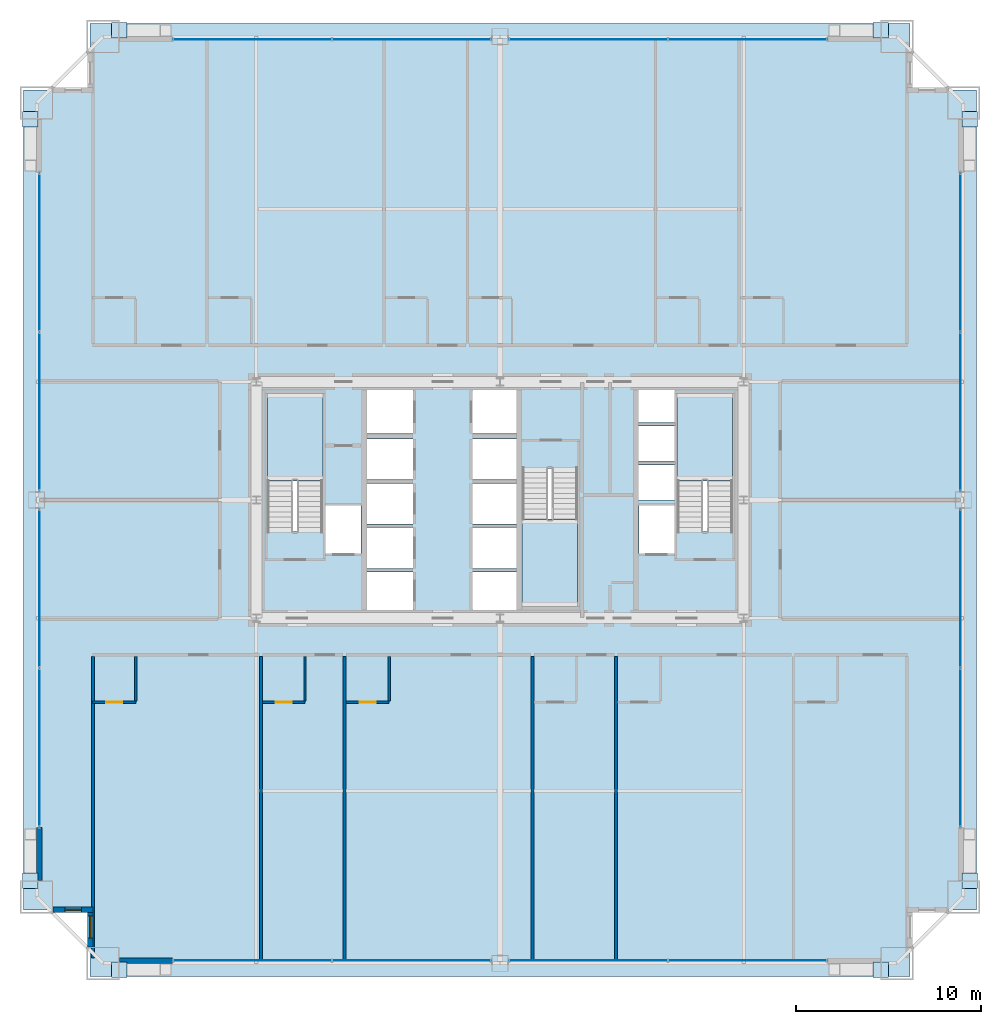
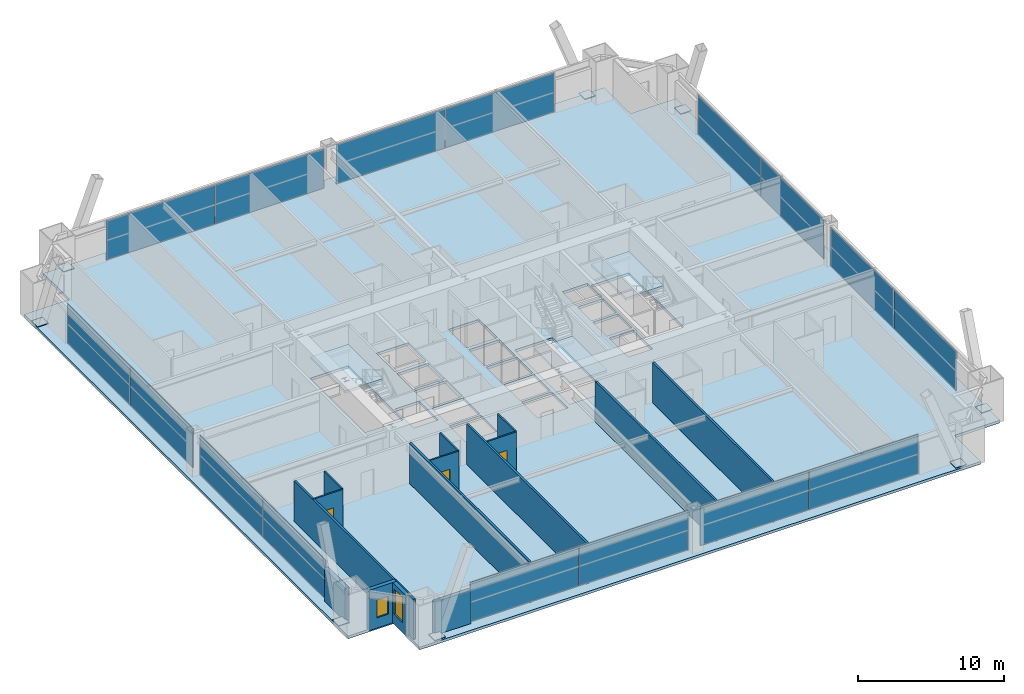
# One storey, part 38 of 43: 24 plates, 15 walls, 4 slabs, 3 doors, 2 windows, 5 openings, 11 elements without a shape of their own.
"""IFC4 building model written with IfcOpenShell, lengths in metres."""

from ifc_helpers import new_model, si_unit, direction, frame, frame_2d, origin, origin_2d, place, context, subcontext, project, spatial, polyline, rectangle, outline, extrude, source, transform, mapped, material, layer, layer_set, type_object, element, fill, aggregate, save


model = new_model("IFC4")

# Units and contexts
model_context = context("Model", 3, precision=1e-05, world=origin(), true_north=direction((0.0, 1.0)))
body_context = subcontext(model_context, "Body", "Model", "MODEL_VIEW")
ifc_project = project(units=[si_unit("LENGTHUNIT", "METRE"), si_unit("AREAUNIT", "SQUARE_METRE"), si_unit("VOLUMEUNIT", "CUBIC_METRE"), si_unit("PLANEANGLEUNIT", "RADIAN"), si_unit("MASSUNIT", "GRAM", prefix="KILO"), si_unit("THERMODYNAMICTEMPERATUREUNIT", "KELVIN"), si_unit("POWERUNIT", "WATT")], contexts=[model_context])

# Site, building, storey
site_placement = place(None, origin())
site = spatial("IfcSite", under=ifc_project, at=site_placement, CompositionType="ELEMENT")
building_placement = place(site_placement, origin())
building = spatial("IfcBuilding", under=site, at=building_placement, Name="Yuzanri Waterfront Tower", CompositionType="ELEMENT")
storey_placement = place(building_placement, frame((0.0, 0.0, 67.60009765625)))
storey = spatial("IfcBuildingStorey", under=building, at=storey_placement, Name="L17", CompositionType="ELEMENT", Elevation=67.60009765625)

# Stair, slab
ifc_material_1 = material(Name="Concrete C40", Category="concrete")
stair_type = type_object("IfcStairType", Name="Concrete C40 Core Dogleg Exit Stair", PredefinedType="HALF_TURN_STAIR", material=ifc_material_1)
stair_1_placement = place(storey_placement, origin())
stair_1 = element("IfcStair", 1, at=stair_1_placement, inside=storey, type_object=stair_type, Name="L17 Smoke-Proof Core Stair ST-01", PredefinedType="HALF_TURN_STAIR")
ifc_material_2 = material(Name="Concrete C40", Category="concrete")
ifc_layer_1 = layer(ifc_material_2, 0.179931640625)
ifc_layer_set_1 = layer_set([ifc_layer_1], Name="Concrete C40")
slab_type_1 = type_object("IfcSlabType", Name="Concrete C40 Stair Half-Landing Slab 180", PredefinedType="LANDING", material=ifc_layer_set_1)
slab_1_placement = place(storey_placement, frame((0.0, 0.0, 1.599853515625)))
slab_1 = element("IfcSlab", 2, at=slab_1_placement, type_object=slab_type_1, Name="ST-01 landing 1", PredefinedType="LANDING", context=body_context, shape_type="SweptSolid", body=[
    extrude(outline(polyline([(27.39990234375, 26.840087890625), (27.39990234375, 31.580078125), (24.39990234375, 31.580078125), (24.39990234375, 26.840087890625), (27.39990234375, 26.840087890625)])), origin(), (0.0, 0.0, 1.0), 0.199951171875),
])
aggregate(stair_1, [slab_1])

stair_2_placement = place(storey_placement, origin())
stair_2 = element("IfcStair", 3, at=stair_2_placement, inside=storey, type_object=stair_type, Name="L17 Smoke-Proof Core Stair ST-02", PredefinedType="HALF_TURN_STAIR")
slab_2_placement = place(storey_placement, frame((0.0, 0.0, 1.599853515625)))
slab_2 = element("IfcSlab", 4, at=slab_2_placement, type_object=slab_type_1, Name="ST-02 landing 1", PredefinedType="LANDING", context=body_context, shape_type="SweptSolid", body=[
    extrude(outline(polyline([(49.60009765625, 26.840087890625), (49.60009765625, 31.580078125), (46.60009765625, 31.580078125), (46.60009765625, 26.840087890625), (49.60009765625, 26.840087890625)])), origin(), (0.0, 0.0, 1.0), 0.199951171875),
])
aggregate(stair_2, [slab_2])

stair_3_placement = place(storey_placement, origin())
stair_3 = element("IfcStair", 5, at=stair_3_placement, inside=storey, type_object=stair_type, Name="L17 Smoke-Proof Core Stair ST-03", PredefinedType="HALF_TURN_STAIR")
slab_3_placement = place(storey_placement, frame((0.0, 0.0, 1.599853515625)))
slab_3 = element("IfcSlab", 6, at=slab_3_placement, type_object=slab_type_1, Name="ST-03 landing 1", PredefinedType="LANDING", context=body_context, shape_type="SweptSolid", body=[
    extrude(outline(polyline([(38.199951171875, 24.760009765625), (38.199951171875, 20.02001953125), (41.199951171875, 20.02001953125), (41.199951171875, 24.760009765625), (38.199951171875, 24.760009765625)])), origin(), (0.0, 0.0, 1.0), 0.199951171875),
])
aggregate(stair_3, [slab_3])

# Slab
ifc_material_3 = material(Name="Concrete C40", Category="concrete")
ifc_layer_2 = layer(ifc_material_3, 0.219970703125)
ifc_layer_set_2 = layer_set([ifc_layer_2], Name="Concrete C40")
slab_type_2 = type_object("IfcSlabType", Name="Concrete C40 Tower Typical Structural Floor Slab 220", PredefinedType="FLOOR", material=ifc_layer_set_2)
slab_4_placement = place(storey_placement, frame((0.0, 0.0, -0.22021484375)))
element("IfcSlab", 7, at=slab_4_placement, inside=storey, type_object=slab_type_2, Name="L17 Main Structural Floor Slab", PredefinedType="FLOOR", context=body_context, shape_type="SweptSolid", body=[
    extrude(outline(polyline([(14.800048828125, 0.0), (59.199951171875, 0.0), (59.199951171875, 3.60009765625), (62.800048828125, 3.60009765625), (62.800048828125, 48.0), (59.199951171875, 48.0), (59.199951171875, 51.60009765625), (14.800048828125, 51.60009765625), (14.800048828125, 48.0), (11.199951171875, 48.0), (11.199951171875, 3.60009765625), (14.800048828125, 3.60009765625), (14.800048828125, 0.0)]), holes=[polyline([(27.39990234375, 24.10009765625), (27.39990234375, 31.580078125), (24.39990234375, 31.580078125), (24.39990234375, 24.10009765625), (27.39990234375, 24.10009765625)]), polyline([(49.60009765625, 24.10009765625), (49.60009765625, 31.580078125), (46.60009765625, 31.580078125), (46.60009765625, 24.10009765625), (49.60009765625, 24.10009765625)]), polyline([(38.199951171875, 27.5), (38.199951171875, 20.02001953125), (41.199951171875, 20.02001953125), (41.199951171875, 27.5), (38.199951171875, 27.5)]), polyline([(27.56005859375, 22.89990234375), (29.47998046875, 22.89990234375), (29.47998046875, 25.5), (27.56005859375, 25.5), (27.56005859375, 22.89990234375)]), polyline([(44.52001953125, 22.89990234375), (46.43994140625, 22.89990234375), (46.43994140625, 25.5), (44.52001953125, 25.5), (44.52001953125, 22.89990234375)]), polyline([(29.800048828125, 19.699951171875), (32.300048828125, 19.699951171875), (32.300048828125, 21.89990234375), (29.800048828125, 21.89990234375), (29.800048828125, 19.699951171875)]), polyline([(29.800048828125, 22.10009765625), (32.300048828125, 22.10009765625), (32.300048828125, 24.300048828125), (29.800048828125, 24.300048828125), (29.800048828125, 22.10009765625)]), polyline([(29.800048828125, 24.5), (32.300048828125, 24.5), (32.300048828125, 26.699951171875), (29.800048828125, 26.699951171875), (29.800048828125, 24.5)]), polyline([(29.800048828125, 26.89990234375), (32.300048828125, 26.89990234375), (32.300048828125, 29.10009765625), (29.800048828125, 29.10009765625), (29.800048828125, 26.89990234375)]), polyline([(29.800048828125, 29.39990234375), (32.300048828125, 29.39990234375), (32.300048828125, 31.89990234375), (29.800048828125, 31.89990234375), (29.800048828125, 29.39990234375)]), polyline([(35.5, 19.699951171875), (37.89990234375, 19.699951171875), (37.89990234375, 21.89990234375), (35.5, 21.89990234375), (35.5, 19.699951171875)]), polyline([(35.5, 22.10009765625), (37.89990234375, 22.10009765625), (37.89990234375, 24.300048828125), (35.5, 24.300048828125), (35.5, 22.10009765625)]), polyline([(35.5, 24.5), (37.89990234375, 24.5), (37.89990234375, 26.699951171875), (35.5, 26.699951171875), (35.5, 24.5)]), polyline([(35.5, 26.89990234375), (37.89990234375, 26.89990234375), (37.89990234375, 29.10009765625), (35.5, 29.10009765625), (35.5, 26.89990234375)]), polyline([(35.5, 29.39990234375), (37.89990234375, 29.39990234375), (37.89990234375, 31.89990234375), (35.5, 31.89990234375), (35.5, 29.39990234375)]), polyline([(44.5, 25.800048828125), (46.5, 25.800048828125), (46.5, 27.699951171875), (44.5, 27.699951171875), (44.5, 25.800048828125)]), polyline([(44.5, 27.89990234375), (46.5, 27.89990234375), (46.5, 29.800048828125), (44.5, 29.800048828125), (44.5, 27.89990234375)]), polyline([(44.5, 30.0), (46.5, 30.0), (46.5, 31.89990234375), (44.5, 31.89990234375), (44.5, 30.0)])]), origin(), (0.0, 0.0, 1.0), 0.22021484375),
])

# Plates
ifc_material_4 = material(Name="Steel Q420GJC", Category="steel")
ifc_layer_3 = layer(ifc_material_4, 0.0400390625)
ifc_layer_set_3 = layer_set([ifc_layer_3], Name="Steel Q420GJC")
plate_type_1 = type_object("IfcPlateType", Name="Steel Q420GJC Mega-Brace Gusset and End-Cap Plate 40", PredefinedType="SHEET", material=ifc_layer_set_3)
shared_shape_1 = source(origin(), body_context, "Body", "SweptSolid", [
    extrude(rectangle(XDim=0.85009765625, YDim=0.85009765625, at=origin_2d()), origin(), (0.0, 0.0, 1.0), 0.0400390625),
])
for number, where, z_axis, x_axis, name in (
    (8, (16.3798828125, 0.360107421875, 0.159912109375), (0.0, 0.0, 1.0), (1.0, 0.0, 0.0), "L17 Mega-Brace Foot Cap Plate S-L"),
    (9, (57.6201171875, 0.360107421875, 0.159912109375), (0.0, 0.0, 1.0), (1.0, 0.0, 0.0), "L17 Mega-Brace Foot Cap Plate S-R"),
    (10, (16.3798828125, 51.239990234375, 0.159912109375), (0.0, 0.0, 1.0), (1.0, 0.0, 0.0), "L17 Mega-Brace Foot Cap Plate N-L"),
    (11, (57.6201171875, 51.239990234375, 0.159912109375), (0.0, 0.0, 1.0), (1.0, 0.0, 0.0), "L17 Mega-Brace Foot Cap Plate N-R"),
    (12, (11.56005859375, 5.179931640625, 0.159912109375), (0.0, 0.0, 1.0), (1.0, 0.0, 0.0), "L17 Mega-Brace Foot Cap Plate W-L"),
    (13, (11.56005859375, 46.419921875, 0.159912109375), (0.0, 0.0, 1.0), (1.0, 0.0, 0.0), "L17 Mega-Brace Foot Cap Plate W-R"),
    (14, (62.43994140625, 5.179931640625, 0.159912109375), (0.0, 0.0, 1.0), (1.0, 0.0, 0.0), "L17 Mega-Brace Foot Cap Plate E-L"),
    (15, (62.43994140625, 46.419921875, 0.159912109375), (0.0, 0.0, 1.0), (1.0, 0.0, 0.0), "L17 Mega-Brace Foot Cap Plate E-R"),
):
    element("IfcPlate", number, at=place(storey_placement, frame(where, z_axis=z_axis, x_axis=x_axis)), inside=storey, type_object=plate_type_1, Name=name, PredefinedType="SHEET", context=body_context, shape_type="MappedRepresentation", body=[
        mapped(shared_shape_1, transform((0.0, 0.0, 0.0), scale=1.0)),
    ])

# Curtain wall, plates
ifc_material_5 = material(Name="Anodized Architectural Bronze", Category="metal")
ifc_layer_4 = layer(ifc_material_5, 0.159912109375)
ifc_layer_set_4 = layer_set([ifc_layer_4], Name="Anodized Architectural Bronze")
curtain_wall_type = type_object("IfcCurtainWallType", Name="Anodized Bronze Hotel Lower-Tier Recessed Unitized Curtain Wall 8100", PredefinedType="NOTDEFINED", material=ifc_layer_set_4)
curtain_wall_1_placement = place(storey_placement, origin())
curtain_wall_1 = element("IfcCurtainWall", 16, at=curtain_wall_1_placement, inside=storey, type_object=curtain_wall_type, Name="L17 Curtain Wall CW-L17-SL", PredefinedType="NOTDEFINED")
ifc_material_6 = material(Name="Double-Silver Low-E Insulated Glass", Category="glass")
ifc_layer_5 = layer(ifc_material_6, 0.035888671875)
ifc_layer_set_5 = layer_set([ifc_layer_5], Name="Double-Silver Low-E Insulated Glass")
plate_type_2 = type_object("IfcPlateType", Name="Double Silver Low-E Insulated Vision Glass Panel 36", PredefinedType="CURTAIN_PANEL", material=ifc_layer_set_5)
shared_shape_2 = source(origin(), body_context, "Body", "SweptSolid", [
    extrude(rectangle(XDim=8.570068359375, YDim=0.035888671875, at=origin_2d()), origin(), (0.0, 0.0, 1.0), 3.280029296875),
])
plate_1_placement = place(storey_placement, frame((23.574951171875, 0.85009765625, 0.0498046875), z_axis=(0.0, 0.0, 1.0), x_axis=(1.0, 0.0, 0.0)))
plate_1 = element("IfcPlate", 17, at=plate_1_placement, type_object=plate_type_2, Name="CW-L17-SL Vision Glass Panel 01", PredefinedType="CURTAIN_PANEL", context=body_context, shape_type="MappedRepresentation", body=[
    mapped(shared_shape_2, transform((0.0, 0.0, 0.0), scale=1.0)),
])
plate_2_placement = place(storey_placement, frame((32.22509765625, 0.85009765625, 0.0498046875), z_axis=(0.0, 0.0, 1.0), x_axis=(1.0, 0.0, 0.0)))
plate_2 = element("IfcPlate", 18, at=plate_2_placement, type_object=plate_type_2, Name="CW-L17-SL Vision Glass Panel 02", PredefinedType="CURTAIN_PANEL", context=body_context, shape_type="MappedRepresentation", body=[
    mapped(shared_shape_2, transform((0.0, 0.0, 0.0), scale=1.0)),
])
aggregate(curtain_wall_1, [plate_1, plate_2])

curtain_wall_2_placement = place(storey_placement, origin())
curtain_wall_2 = element("IfcCurtainWall", 19, at=curtain_wall_2_placement, inside=storey, type_object=curtain_wall_type, Name="L17 Curtain Wall CW-L17-SR", PredefinedType="NOTDEFINED")
plate_3_placement = place(storey_placement, frame((41.77490234375, 0.85009765625, 0.0498046875), z_axis=(0.0, 0.0, 1.0), x_axis=(1.0, 0.0, 0.0)))
plate_3 = element("IfcPlate", 20, at=plate_3_placement, type_object=plate_type_2, Name="CW-L17-SR Vision Glass Panel 01", PredefinedType="CURTAIN_PANEL", context=body_context, shape_type="MappedRepresentation", body=[
    mapped(shared_shape_2, transform((0.0, 0.0, 0.0), scale=1.0)),
])
plate_4_placement = place(storey_placement, frame((50.425048828125, 0.85009765625, 0.0498046875), z_axis=(0.0, 0.0, 1.0), x_axis=(1.0, 0.0, 0.0)))
plate_4 = element("IfcPlate", 21, at=plate_4_placement, type_object=plate_type_2, Name="CW-L17-SR Vision Glass Panel 02", PredefinedType="CURTAIN_PANEL", context=body_context, shape_type="MappedRepresentation", body=[
    mapped(shared_shape_2, transform((0.0, 0.0, 0.0), scale=1.0)),
])
aggregate(curtain_wall_2, [plate_3, plate_4])

curtain_wall_3_placement = place(storey_placement, origin())
curtain_wall_3 = element("IfcCurtainWall", 22, at=curtain_wall_3_placement, inside=storey, type_object=curtain_wall_type, Name="L17 Curtain Wall CW-L17-NL", PredefinedType="NOTDEFINED")
plate_5_placement = place(storey_placement, frame((23.574951171875, 50.75, 0.0498046875), z_axis=(0.0, 0.0, 1.0), x_axis=(1.0, 0.0, 0.0)))
plate_5 = element("IfcPlate", 23, at=plate_5_placement, type_object=plate_type_2, Name="CW-L17-NL Vision Glass Panel 01", PredefinedType="CURTAIN_PANEL", context=body_context, shape_type="MappedRepresentation", body=[
    mapped(shared_shape_2, transform((0.0, 0.0, 0.0), scale=1.0)),
])
plate_6_placement = place(storey_placement, frame((32.22509765625, 50.75, 0.0498046875), z_axis=(0.0, 0.0, 1.0), x_axis=(1.0, 0.0, 0.0)))
plate_6 = element("IfcPlate", 24, at=plate_6_placement, type_object=plate_type_2, Name="CW-L17-NL Vision Glass Panel 02", PredefinedType="CURTAIN_PANEL", context=body_context, shape_type="MappedRepresentation", body=[
    mapped(shared_shape_2, transform((0.0, 0.0, 0.0), scale=1.0)),
])
aggregate(curtain_wall_3, [plate_5, plate_6])

curtain_wall_4_placement = place(storey_placement, origin())
curtain_wall_4 = element("IfcCurtainWall", 25, at=curtain_wall_4_placement, inside=storey, type_object=curtain_wall_type, Name="L17 Curtain Wall CW-L17-NR", PredefinedType="NOTDEFINED")
plate_7_placement = place(storey_placement, frame((41.77490234375, 50.75, 0.0498046875), z_axis=(0.0, 0.0, 1.0), x_axis=(1.0, 0.0, 0.0)))
plate_7 = element("IfcPlate", 26, at=plate_7_placement, type_object=plate_type_2, Name="CW-L17-NR Vision Glass Panel 01", PredefinedType="CURTAIN_PANEL", context=body_context, shape_type="MappedRepresentation", body=[
    mapped(shared_shape_2, transform((0.0, 0.0, 0.0), scale=1.0)),
])
plate_8_placement = place(storey_placement, frame((50.425048828125, 50.75, 0.0498046875), z_axis=(0.0, 0.0, 1.0), x_axis=(1.0, 0.0, 0.0)))
plate_8 = element("IfcPlate", 27, at=plate_8_placement, type_object=plate_type_2, Name="CW-L17-NR Vision Glass Panel 02", PredefinedType="CURTAIN_PANEL", context=body_context, shape_type="MappedRepresentation", body=[
    mapped(shared_shape_2, transform((0.0, 0.0, 0.0), scale=1.0)),
])
aggregate(curtain_wall_4, [plate_7, plate_8])

curtain_wall_5_placement = place(storey_placement, origin())
curtain_wall_5 = element("IfcCurtainWall", 28, at=curtain_wall_5_placement, inside=storey, type_object=curtain_wall_type, Name="L17 Curtain Wall CW-L17-WL", PredefinedType="NOTDEFINED")
plate_9_placement = place(storey_placement, frame((12.050048828125, 12.375, 0.0498046875), z_axis=(0.0, 0.0, 1.0), x_axis=(0.0, 1.0, 0.0)))
plate_9 = element("IfcPlate", 29, at=plate_9_placement, type_object=plate_type_2, Name="CW-L17-WL Vision Glass Panel 01", PredefinedType="CURTAIN_PANEL", context=body_context, shape_type="MappedRepresentation", body=[
    mapped(shared_shape_2, transform((0.0, 0.0, 0.0), scale=1.0)),
])
plate_10_placement = place(storey_placement, frame((12.050048828125, 21.02490234375, 0.0498046875), z_axis=(0.0, 0.0, 1.0), x_axis=(0.0, 1.0, 0.0)))
plate_10 = element("IfcPlate", 30, at=plate_10_placement, type_object=plate_type_2, Name="CW-L17-WL Vision Glass Panel 02", PredefinedType="CURTAIN_PANEL", context=body_context, shape_type="MappedRepresentation", body=[
    mapped(shared_shape_2, transform((0.0, 0.0, 0.0), scale=1.0)),
])
aggregate(curtain_wall_5, [plate_9, plate_10])

curtain_wall_6_placement = place(storey_placement, origin())
curtain_wall_6 = element("IfcCurtainWall", 31, at=curtain_wall_6_placement, inside=storey, type_object=curtain_wall_type, Name="L17 Curtain Wall CW-L17-WR", PredefinedType="NOTDEFINED")
plate_11_placement = place(storey_placement, frame((12.050048828125, 30.574951171875, 0.0498046875), z_axis=(0.0, 0.0, 1.0), x_axis=(0.0, 1.0, 0.0)))
plate_11 = element("IfcPlate", 32, at=plate_11_placement, type_object=plate_type_2, Name="CW-L17-WR Vision Glass Panel 01", PredefinedType="CURTAIN_PANEL", context=body_context, shape_type="MappedRepresentation", body=[
    mapped(shared_shape_2, transform((0.0, 0.0, 0.0), scale=1.0)),
])
plate_12_placement = place(storey_placement, frame((12.050048828125, 39.22509765625, 0.0498046875), z_axis=(0.0, 0.0, 1.0), x_axis=(0.0, 1.0, 0.0)))
plate_12 = element("IfcPlate", 33, at=plate_12_placement, type_object=plate_type_2, Name="CW-L17-WR Vision Glass Panel 02", PredefinedType="CURTAIN_PANEL", context=body_context, shape_type="MappedRepresentation", body=[
    mapped(shared_shape_2, transform((0.0, 0.0, 0.0), scale=1.0)),
])
aggregate(curtain_wall_6, [plate_11, plate_12])

curtain_wall_7_placement = place(storey_placement, origin())
curtain_wall_7 = element("IfcCurtainWall", 34, at=curtain_wall_7_placement, inside=storey, type_object=curtain_wall_type, Name="L17 Curtain Wall CW-L17-EL", PredefinedType="NOTDEFINED")
plate_13_placement = place(storey_placement, frame((61.949951171875, 12.375, 0.0498046875), z_axis=(0.0, 0.0, 1.0), x_axis=(0.0, 1.0, 0.0)))
plate_13 = element("IfcPlate", 35, at=plate_13_placement, type_object=plate_type_2, Name="CW-L17-EL Vision Glass Panel 01", PredefinedType="CURTAIN_PANEL", context=body_context, shape_type="MappedRepresentation", body=[
    mapped(shared_shape_2, transform((0.0, 0.0, 0.0), scale=1.0)),
])
plate_14_placement = place(storey_placement, frame((61.949951171875, 21.02490234375, 0.0498046875), z_axis=(0.0, 0.0, 1.0), x_axis=(0.0, 1.0, 0.0)))
plate_14 = element("IfcPlate", 36, at=plate_14_placement, type_object=plate_type_2, Name="CW-L17-EL Vision Glass Panel 02", PredefinedType="CURTAIN_PANEL", context=body_context, shape_type="MappedRepresentation", body=[
    mapped(shared_shape_2, transform((0.0, 0.0, 0.0), scale=1.0)),
])
aggregate(curtain_wall_7, [plate_13, plate_14])

curtain_wall_8_placement = place(storey_placement, origin())
curtain_wall_8 = element("IfcCurtainWall", 37, at=curtain_wall_8_placement, inside=storey, type_object=curtain_wall_type, Name="L17 Curtain Wall CW-L17-ER", PredefinedType="NOTDEFINED")
plate_15_placement = place(storey_placement, frame((61.949951171875, 30.574951171875, 0.0498046875), z_axis=(0.0, 0.0, 1.0), x_axis=(0.0, 1.0, 0.0)))
plate_15 = element("IfcPlate", 38, at=plate_15_placement, type_object=plate_type_2, Name="CW-L17-ER Vision Glass Panel 01", PredefinedType="CURTAIN_PANEL", context=body_context, shape_type="MappedRepresentation", body=[
    mapped(shared_shape_2, transform((0.0, 0.0, 0.0), scale=1.0)),
])
plate_16_placement = place(storey_placement, frame((61.949951171875, 39.22509765625, 0.0498046875), z_axis=(0.0, 0.0, 1.0), x_axis=(0.0, 1.0, 0.0)))
plate_16 = element("IfcPlate", 39, at=plate_16_placement, type_object=plate_type_2, Name="CW-L17-ER Vision Glass Panel 02", PredefinedType="CURTAIN_PANEL", context=body_context, shape_type="MappedRepresentation", body=[
    mapped(shared_shape_2, transform((0.0, 0.0, 0.0), scale=1.0)),
])
aggregate(curtain_wall_8, [plate_15, plate_16])

# Wall, opening, door
ifc_material_7 = material(Name="Moisture-Resistant Gypsum Stud Wall", Category="gypsum")
ifc_layer_6 = layer(ifc_material_7, 0.1201171875)
ifc_layer_set_6 = layer_set([ifc_layer_6], Name="Moisture-Resistant Gypsum Stud Wall")
wall_type_1 = type_object("IfcWallType", Name="Bathroom and Kitchen Wet Partition 120", PredefinedType="PARTITIONING", material=ifc_layer_set_6)
wall_1_placement = place(storey_placement, frame((14.93994140625, 14.840087890625, 0.0), z_axis=(0.0, 0.0, 1.0), x_axis=(1.0, 0.0, 0.0)))
wall_1 = element("IfcWall", 40, at=wall_1_placement, inside=storey, type_object=wall_type_1, Name="L17 Partition UW-L17-S1-BS", PredefinedType="PARTITIONING", context=body_context, shape_type="SweptSolid", body=[
    extrude(rectangle(XDim=2.330078125, YDim=0.1201171875, at=frame_2d((1.1650390625, 0.0))), origin(), (0.0, 0.0, 1.0), 3.3798828125),
])
opening_1_placement = place(wall_1_placement, frame((0.739990234375, 0.0, 0.0)))
opening_1 = element("IfcOpeningElement", 41, at=opening_1_placement, cuts=wall_1, Name="Opening ID-0850", PredefinedType="OPENING", context=body_context, shape_type="SweptSolid", body=[
    extrude(rectangle(XDim=0.85009765625, YDim=2.10009765625, at=frame_2d((0.425048828125, 1.050048828125))), frame((0.0, 0.074951171875, 0.0), z_axis=(0.0, -1.0, 0.0), x_axis=(1.0, 0.0, 0.0)), (0.0, 0.0, 1.0), 0.14990234375),
])
ifc_material_8 = material(Name="Moisture-Resistant Lacquered Timber", Category="wood")
door_type = type_object("IfcDoorType", Name="En-Suite Bathroom and Kitchen Swing Door 850x2100", OperationType="NOTDEFINED", PredefinedType="DOOR", material=ifc_material_8)
shared_shape_3 = source(origin(), body_context, "Body", "SweptSolid", [
    extrude(rectangle(XDim=0.85009765625, YDim=2.10009765625, at=frame_2d((0.425048828125, 1.050048828125))), frame((0.0, 0.02490234375, 0.0), z_axis=(0.0, -1.0, 0.0), x_axis=(1.0, 0.0, 0.0)), (0.0, 0.0, 1.0), 0.050048828125),
])
door_1_placement = place(opening_1_placement, origin())
door_1 = element("IfcDoor", 42, at=door_1_placement, inside=storey, type_object=door_type, Name="L17 Guest En-Suite Door", OperationType="SINGLE_SWING_LEFT", OverallHeight=2.10009765625, OverallWidth=0.85009765625, PredefinedType="DOOR", context=body_context, shape_type="MappedRepresentation", body=[
    mapped(shared_shape_3, transform((0.0, 0.0, 0.0), scale=1.0)),
])
fill(opening_1, door_1)

wall_2_placement = place(storey_placement, frame((24.137939453125, 14.840087890625, 0.0), z_axis=(0.0, 0.0, 1.0), x_axis=(1.0, 0.0, 0.0)))
wall_2 = element("IfcWall", 43, at=wall_2_placement, inside=storey, type_object=wall_type_1, Name="L17 Partition UW-L17-S2-BS", PredefinedType="PARTITIONING", context=body_context, shape_type="SweptSolid", body=[
    extrude(rectangle(XDim=2.300048828125, YDim=0.1201171875, at=frame_2d((1.14990234375, 0.0))), origin(), (0.0, 0.0, 1.0), 3.3798828125),
])
opening_2_placement = place(wall_2_placement, frame((0.72509765625, 0.0, 0.0)))
opening_2 = element("IfcOpeningElement", 44, at=opening_2_placement, cuts=wall_2, Name="Opening ID-0850", PredefinedType="OPENING", context=body_context, shape_type="SweptSolid", body=[
    extrude(rectangle(XDim=0.85009765625, YDim=2.10009765625, at=frame_2d((0.425048828125, 1.050048828125))), frame((0.0, 0.074951171875, 0.0), z_axis=(0.0, -1.0, 0.0), x_axis=(1.0, 0.0, 0.0)), (0.0, 0.0, 1.0), 0.14990234375),
])
door_2_placement = place(opening_2_placement, origin())
door_2 = element("IfcDoor", 45, at=door_2_placement, inside=storey, type_object=door_type, Name="L17 Guest En-Suite Door", OperationType="SINGLE_SWING_LEFT", OverallHeight=2.10009765625, OverallWidth=0.85009765625, PredefinedType="DOOR", context=body_context, shape_type="MappedRepresentation", body=[
    mapped(shared_shape_3, transform((0.0, 0.0, 0.0), scale=1.0)),
])
fill(opening_2, door_2)

wall_3_placement = place(storey_placement, frame((28.66796875, 14.840087890625, 0.0), z_axis=(0.0, 0.0, 1.0), x_axis=(1.0, 0.0, 0.0)))
wall_3 = element("IfcWall", 46, at=wall_3_placement, inside=storey, type_object=wall_type_1, Name="L17 Partition UW-L17-S3-BS", PredefinedType="PARTITIONING", context=body_context, shape_type="SweptSolid", body=[
    extrude(rectangle(XDim=2.330078125, YDim=0.1201171875, at=frame_2d((1.1650390625, 0.0))), origin(), (0.0, 0.0, 1.0), 3.3798828125),
])
opening_3_placement = place(wall_3_placement, frame((0.739990234375, 0.0, 0.0)))
opening_3 = element("IfcOpeningElement", 47, at=opening_3_placement, cuts=wall_3, Name="Opening ID-0850", PredefinedType="OPENING", context=body_context, shape_type="SweptSolid", body=[
    extrude(rectangle(XDim=0.85009765625, YDim=2.10009765625, at=frame_2d((0.425048828125, 1.050048828125))), frame((0.0, 0.074951171875, 0.0), z_axis=(0.0, -1.0, 0.0), x_axis=(1.0, 0.0, 0.0)), (0.0, 0.0, 1.0), 0.14990234375),
])
door_3_placement = place(opening_3_placement, origin())
door_3 = element("IfcDoor", 48, at=door_3_placement, inside=storey, type_object=door_type, Name="L17 Guest En-Suite Door", OperationType="SINGLE_SWING_LEFT", OverallHeight=2.10009765625, OverallWidth=0.85009765625, PredefinedType="DOOR", context=body_context, shape_type="MappedRepresentation", body=[
    mapped(shared_shape_3, transform((0.0, 0.0, 0.0), scale=1.0)),
])
fill(opening_3, door_3)

# Wall, opening, window
ifc_material_9 = material(Name="Honed Chongqing Dark Basalt Stone", Category="masonry")
ifc_layer_7 = layer(ifc_material_9, 0.300048828125)
ifc_layer_set_7 = layer_set([ifc_layer_7], Name="Honed Chongqing Dark Basalt Stone")
wall_type_2 = type_object("IfcWallType", Name="Bronze Rainscreen Insulated Spandrel Portal Wall 300", PredefinedType="SOLIDWALL", material=ifc_layer_set_7)
wall_4_placement = place(storey_placement, frame((12.800048828125, 3.60009765625, 0.0), z_axis=(0.0, 0.0, 1.0), x_axis=(1.0, 0.0, 0.0)))
wall_4 = element("IfcWall", 49, at=wall_4_placement, inside=storey, type_object=wall_type_2, Name="L17 Notched Corner Masonry Wall SW-X", PredefinedType="SOLIDWALL", context=body_context, shape_type="SweptSolid", body=[
    extrude(rectangle(XDim=2.14990234375, YDim=0.300048828125, at=frame_2d((1.074951171875, 0.0))), origin(), (0.0, 0.0, 1.0), 3.3798828125),
])
opening_4_placement = place(wall_4_placement, frame((0.625, 0.0, 0.85009765625)))
opening_4 = element("IfcOpeningElement", 50, at=opening_4_placement, cuts=wall_4, Name="Opening WN-05", PredefinedType="OPENING", context=body_context, shape_type="SweptSolid", body=[
    extrude(rectangle(XDim=0.89990234375, YDim=1.5, at=frame_2d((0.449951171875, 0.75))), frame((0.0, 0.1650390625, 0.0), z_axis=(0.0, -1.0, 0.0), x_axis=(1.0, 0.0, 0.0)), (0.0, 0.0, 1.0), 0.329833984375),
])
ifc_material_10 = material(Name="Double-Silver Low-E Insulated Glass", Category="glass")
window_type_1 = type_object("IfcWindowType", Name="Anodized Bronze Service and Stairwell Smoke-Vent Window 900x1500", PartitioningType="SINGLE_PANEL", PredefinedType="WINDOW", material=ifc_material_10)
shared_shape_4 = source(origin(), body_context, "Body", "SweptSolid", [
    extrude(rectangle(XDim=0.89990234375, YDim=1.5, at=frame_2d((0.449951171875, 0.75))), frame((0.0, 0.030029296875, 0.0), z_axis=(0.0, -1.0, 0.0), x_axis=(1.0, 0.0, 0.0)), (0.0, 0.0, 1.0), 0.06005859375),
])
window_1_placement = place(opening_4_placement, origin())
window_1 = element("IfcWindow", 51, at=window_1_placement, inside=storey, type_object=window_type_1, Name="L17 Notched Corner Window SW-X", OverallHeight=1.5, OverallWidth=0.89990234375, PartitioningType="SINGLE_PANEL", PredefinedType="WINDOW", context=body_context, shape_type="MappedRepresentation", body=[
    mapped(shared_shape_4, transform((0.0, 0.0, 0.0), scale=1.0)),
])
fill(opening_4, window_1)

wall_5_placement = place(storey_placement, frame((14.800048828125, 3.75, 0.0), z_axis=(0.0, 0.0, 1.0), x_axis=(0.0, -1.0, 0.0)))
wall_5 = element("IfcWall", 52, at=wall_5_placement, inside=storey, type_object=wall_type_2, Name="L17 Notched Corner Masonry Wall SW-Y", PredefinedType="SOLIDWALL", context=body_context, shape_type="SweptSolid", body=[
    extrude(rectangle(XDim=2.14990234375, YDim=0.300048828125, at=frame_2d((1.074951171875, 0.0))), origin(), (0.0, 0.0, 1.0), 3.3798828125),
])
opening_5_placement = place(wall_5_placement, frame((0.47509765625, 0.0, 0.85009765625)))
opening_5 = element("IfcOpeningElement", 53, at=opening_5_placement, cuts=wall_5, Name="Opening WN-02", PredefinedType="OPENING", context=body_context, shape_type="SweptSolid", body=[
    extrude(rectangle(XDim=1.199951171875, YDim=2.10009765625, at=frame_2d((0.60009765625, 1.050048828125))), frame((0.0, 0.1650390625, 0.0), z_axis=(0.0, -1.0, 0.0), x_axis=(1.0, 0.0, 0.0)), (0.0, 0.0, 1.0), 0.329833984375),
])
ifc_material_11 = material(Name="Double-Silver Low-E Insulated Glass", Category="glass")
window_type_2 = type_object("IfcWindowType", Name="Anodized Bronze Notched Corner Deep-Set Slot Window 1200x2100", PartitioningType="SINGLE_PANEL", PredefinedType="WINDOW", material=ifc_material_11)
shared_shape_5 = source(origin(), body_context, "Body", "SweptSolid", [
    extrude(rectangle(XDim=1.199951171875, YDim=2.10009765625, at=frame_2d((0.60009765625, 1.050048828125))), frame((0.0, 0.030029296875, 0.0), z_axis=(0.0, -1.0, 0.0), x_axis=(1.0, 0.0, 0.0)), (0.0, 0.0, 1.0), 0.06005859375),
])
window_2_placement = place(opening_5_placement, origin())
window_2 = element("IfcWindow", 54, at=window_2_placement, inside=storey, type_object=window_type_2, Name="L17 Notched Corner Window SW-Y", OverallHeight=2.10009765625, OverallWidth=1.199951171875, PartitioningType="SINGLE_PANEL", PredefinedType="WINDOW", context=body_context, shape_type="MappedRepresentation", body=[
    mapped(shared_shape_5, transform((0.0, 0.0, 0.0), scale=1.0)),
])
fill(opening_5, window_2)

# Walls
shared_shape_6 = source(origin(), body_context, "Body", "SweptSolid", [
    extrude(rectangle(XDim=2.85009765625, YDim=0.300048828125, at=frame_2d((1.425048828125, 0.0))), origin(), (0.0, 0.0, 1.0), 2.77490234375),
])
for number, where, z_axis, x_axis, name in (
    (55, (16.39990234375, 0.85009765625, 0.0), (0.0, 0.0, 1.0), (1.0, 0.0, 0.0), "L17 S Left Braced Masonry Shoulder"),
    (56, (12.050048828125, 5.199951171875, 0.0), (0.0, 0.0, 1.0), (0.0, 1.0, 0.0), "L17 W Left Braced Masonry Shoulder"),
):
    element("IfcWall", number, at=place(storey_placement, frame(where, z_axis=z_axis, x_axis=x_axis)), inside=storey, type_object=wall_type_2, Name=name, PredefinedType="SOLIDWALL", context=body_context, shape_type="MappedRepresentation", body=[
        mapped(shared_shape_6, transform((0.0, 0.0, 0.0), scale=1.0)),
    ])
ifc_material_12 = material(Name="Gypsum Fireboard Acoustic Stud Wall", Category="gypsum")
ifc_layer_8 = layer(ifc_material_12, 0.159912109375)
ifc_layer_set_8 = layer_set([ifc_layer_8], Name="Gypsum Fireboard Acoustic Stud Wall")
wall_type_3 = type_object("IfcWallType", Name="Acoustic Suite Demising Partition 160", PredefinedType="PARTITIONING", material=ifc_layer_set_8)
shared_shape_7 = source(origin(), body_context, "Body", "SweptSolid", [
    extrude(rectangle(XDim=16.469970703125, YDim=0.159912109375, at=frame_2d((8.23486328125, 0.0))), origin(), (0.0, 0.0, 1.0), 3.3798828125),
])
for number, where, z_axis, x_axis, name in (
    (57, (24.05810546875, 0.85009765625, 0.0), (0.0, 0.0, 1.0), (0.0, 1.0, 0.0), "L17-S1 Party Wall"),
    (58, (28.587890625, 0.85009765625, 0.0), (0.0, 0.0, 1.0), (0.0, 1.0, 0.0), "L17-S2 Party Wall"),
    (59, (38.764892578125, 0.85009765625, 0.0), (0.0, 0.0, 1.0), (0.0, 1.0, 0.0), "L17-S3 Party Wall"),
    (60, (43.2939453125, 0.85009765625, 0.0), (0.0, 0.0, 1.0), (0.0, 1.0, 0.0), "L17-S4 Party Wall"),
):
    element("IfcWall", number, at=place(storey_placement, frame(where, z_axis=z_axis, x_axis=x_axis)), inside=storey, type_object=wall_type_3, Name=name, PredefinedType="PARTITIONING", context=body_context, shape_type="MappedRepresentation", body=[
        mapped(shared_shape_7, transform((0.0, 0.0, 0.0), scale=1.0)),
    ])
shared_shape_8 = source(origin(), body_context, "Body", "SweptSolid", [
    extrude(rectangle(XDim=2.420166015625, YDim=0.1201171875, at=frame_2d((1.2099609375, 0.0))), origin(), (0.0, 0.0, 1.0), 3.3798828125),
])
for number, where, z_axis, x_axis, name in (
    (61, (17.27001953125, 14.89990234375, 0.0), (0.0, 0.0, 1.0), (0.0, 1.0, 0.0), "L17-S1 En-Suite Side Wall"),
    (62, (26.43798828125, 14.89990234375, 0.0), (0.0, 0.0, 1.0), (0.0, 1.0, 0.0), "L17-S2 En-Suite Side Wall"),
    (63, (30.998046875, 14.89990234375, 0.0), (0.0, 0.0, 1.0), (0.0, 1.0, 0.0), "L17-S3 En-Suite Side Wall"),
):
    element("IfcWall", number, at=place(storey_placement, frame(where, z_axis=z_axis, x_axis=x_axis)), inside=storey, type_object=wall_type_1, Name=name, PredefinedType="PARTITIONING", context=body_context, shape_type="MappedRepresentation", body=[
        mapped(shared_shape_8, transform((0.0, 0.0, 0.0), scale=1.0)),
    ])
shared_shape_9 = source(origin(), body_context, "Body", "SweptSolid", [
    extrude(rectangle(XDim=16.320068359375, YDim=0.159912109375, at=frame_2d((8.16015625, 0.0))), origin(), (0.0, 0.0, 1.0), 3.3798828125),
])
wall_6_placement = place(storey_placement, frame((14.949951171875, 1.0, 0.0), z_axis=(0.0, 0.0, 1.0), x_axis=(0.0, 1.0, 0.0)))
element("IfcWall", 64, at=wall_6_placement, inside=storey, type_object=wall_type_3, Name="L17 South Band West End Wall", PredefinedType="PARTITIONING", context=body_context, shape_type="MappedRepresentation", body=[
    mapped(shared_shape_9, transform((0.0, 0.0, 0.0), scale=1.0)),
])

save(model, "model.ifc")
